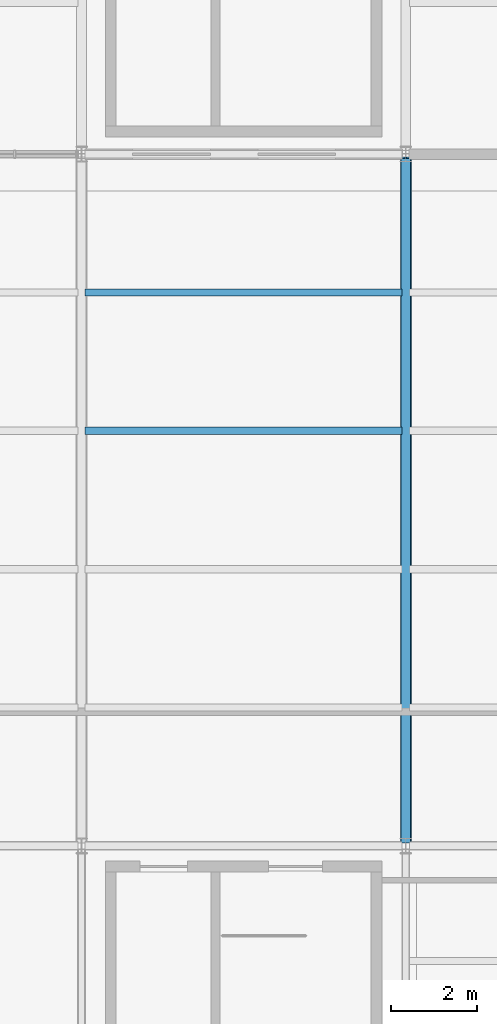
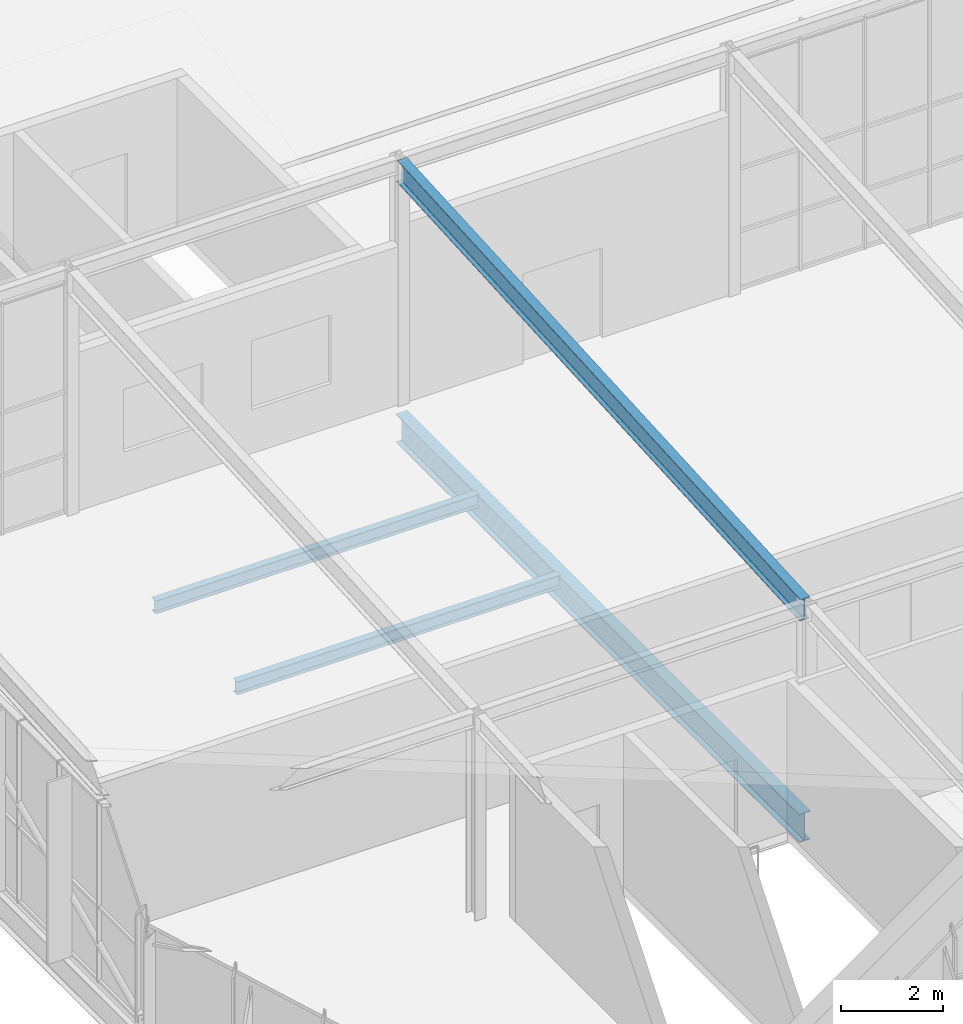
# One storey, part 17 of 104: 4 beams.
"""IFC4 building model written with IfcOpenShell, lengths in metres."""

from ifc_helpers import new_model, si_unit, direction, frame, origin, origin_2d, place, context, subcontext, project, spatial, i_section, extrude, material, material_profile, profile_set, type_object, element, save


model = new_model("IFC4")

# Units and contexts
model_context = context("Model", 3, precision=1e-05, world=origin(), true_north=direction((0.0, 1.0)))
body_context = subcontext(model_context, "Body", "Model", "MODEL_VIEW")
ifc_project = project(units=[si_unit("LENGTHUNIT", "METRE"), si_unit("AREAUNIT", "SQUARE_METRE"), si_unit("VOLUMEUNIT", "CUBIC_METRE"), si_unit("PLANEANGLEUNIT", "RADIAN"), si_unit("MASSUNIT", "GRAM", prefix="KILO")], contexts=[model_context])

# Site, building, storey
site_placement = place(None, origin())
site = spatial("IfcSite", under=ifc_project, at=site_placement, CompositionType="ELEMENT")
building_placement = place(site_placement, origin())
building = spatial("IfcBuilding", under=site, at=building_placement, Name="Solvenia Promenade Tram Depot", CompositionType="ELEMENT")
storey_placement = place(building_placement, frame((0.0, 0.0, 9.0)))
storey = spatial("IfcBuildingStorey", under=building, at=storey_placement, Name="L02", CompositionType="ELEMENT", Elevation=9.0)

# Beams
ifc_material = material(Name="Structural steel ASTM A992 Gr. 50", Category="steel")
ifc_material_profile_1 = material_profile(ifc_material, i_section(OverallWidth=0.2099609375, OverallDepth=0.537109375, WebThickness=0.010986328125, FlangeThickness=0.017333984375, FilletRadius=0.013916015625, at=origin_2d()), Name="W530x101", Category="steel")
ifc_profile_set_1 = profile_set([ifc_material_profile_1], Name="Structural steel ASTM A992 Gr. 50")
beam_type_1 = type_object("IfcBeamType", Name="Gird-W530x101", PredefinedType="BEAM", material=ifc_profile_set_1)
beam_1_placement = place(storey_placement, frame((15.0, 8.0849609375, 4.658203125), z_axis=(0.0, 0.998266347418, 0.058858301144), x_axis=(-1.0, 0.0, 0.0)))
element("IfcBeam", 1, at=beam_1_placement, inside=storey, type_object=beam_type_1, Name="Folded Wing Main Rafter BM-L02-0847", PredefinedType="BEAM", context=body_context, shape_type="SweptSolid", body=[
    extrude(i_section(OverallWidth=0.2099609375, OverallDepth=0.537109375, WebThickness=0.010986328125, FlangeThickness=0.017333984375, FilletRadius=0.013916015625, at=origin_2d()), origin(), (0.0, 0.0, 1.0), 15.857666015625),
])
ifc_material_profile_2 = material_profile(ifc_material, i_section(OverallWidth=0.25390625, OverallDepth=0.68408203125, WebThickness=0.012451171875, FlangeThickness=0.018798828125, FilletRadius=0.01611328125, at=origin_2d()), Name="W690x140", Category="steel")
ifc_profile_set_2 = profile_set([ifc_material_profile_2], Name="Structural steel ASTM A992 Gr. 50")
beam_type_2 = type_object("IfcBeamType", Name="Gird-W690x140", PredefinedType="BEAM", material=ifc_profile_set_2)
beam_2_placement = place(storey_placement, frame((15.0, 8.0849609375, -0.56201171875), z_axis=(0.0, 1.0, 0.0), x_axis=(-1.0, 0.0, 0.0)))
element("IfcBeam", 2, at=beam_2_placement, inside=storey, type_object=beam_type_2, Name="Transverse Girder BM-L02-0547", PredefinedType="BEAM", context=body_context, shape_type="SweptSolid", body=[
    extrude(i_section(OverallWidth=0.25390625, OverallDepth=0.68408203125, WebThickness=0.012451171875, FlangeThickness=0.018798828125, FilletRadius=0.01611328125, at=origin_2d()), origin(), (0.0, 0.0, 1.0), 15.830078125),
])
ifc_material_profile_3 = material_profile(ifc_material, i_section(OverallWidth=0.166015625, OverallDepth=0.31298828125, WebThickness=0.006591796875, FlangeThickness=0.01123046875, FilletRadius=0.010009765625, at=origin_2d()), Name="W310x45", Category="steel")
ifc_profile_set_3 = profile_set([ifc_material_profile_3], Name="Structural steel ASTM A992 Gr. 50")
beam_type_3 = type_object("IfcBeamType", Name="Joist-W310x45", PredefinedType="JOIST", material=ifc_profile_set_3)
for number, where, z_axis, x_axis, name in (
    (3, (7.5849609375, 17.60009765625, -0.37646484375), (1.0, 0.0, 0.0), (0.0, 1.0, 0.0), "Secondary Floor Joist BM-L02-0565"),
    (4, (7.5849609375, 20.800048828125, -0.37646484375), (1.0, 0.0, 0.0), (0.0, 1.0, 0.0), "Secondary Floor Joist BM-L02-0566"),
):
    element("IfcBeam", number, at=place(storey_placement, frame(where, z_axis=z_axis, x_axis=x_axis)), inside=storey, type_object=beam_type_3, Name=name, PredefinedType="JOIST", context=body_context, shape_type="SweptSolid", body=[
        extrude(i_section(OverallWidth=0.166015625, OverallDepth=0.31298828125, WebThickness=0.006591796875, FlangeThickness=0.01123046875, FilletRadius=0.010009765625, at=origin_2d()), origin(), (0.0, 0.0, 1.0), 7.330078125),
    ])

save(model, "model.ifc")
